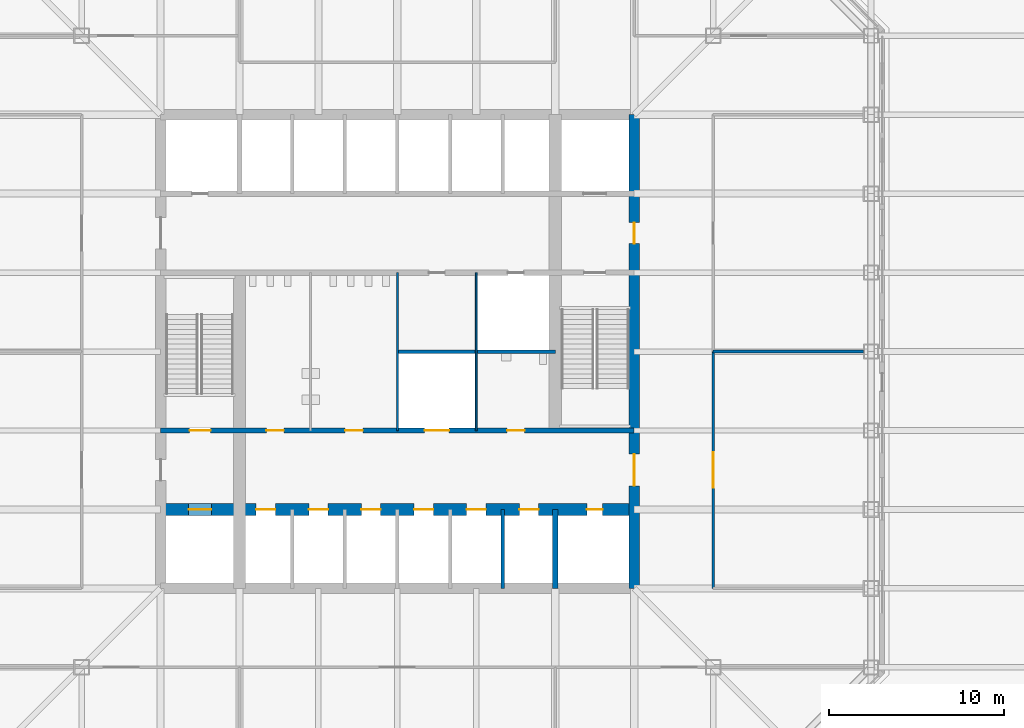
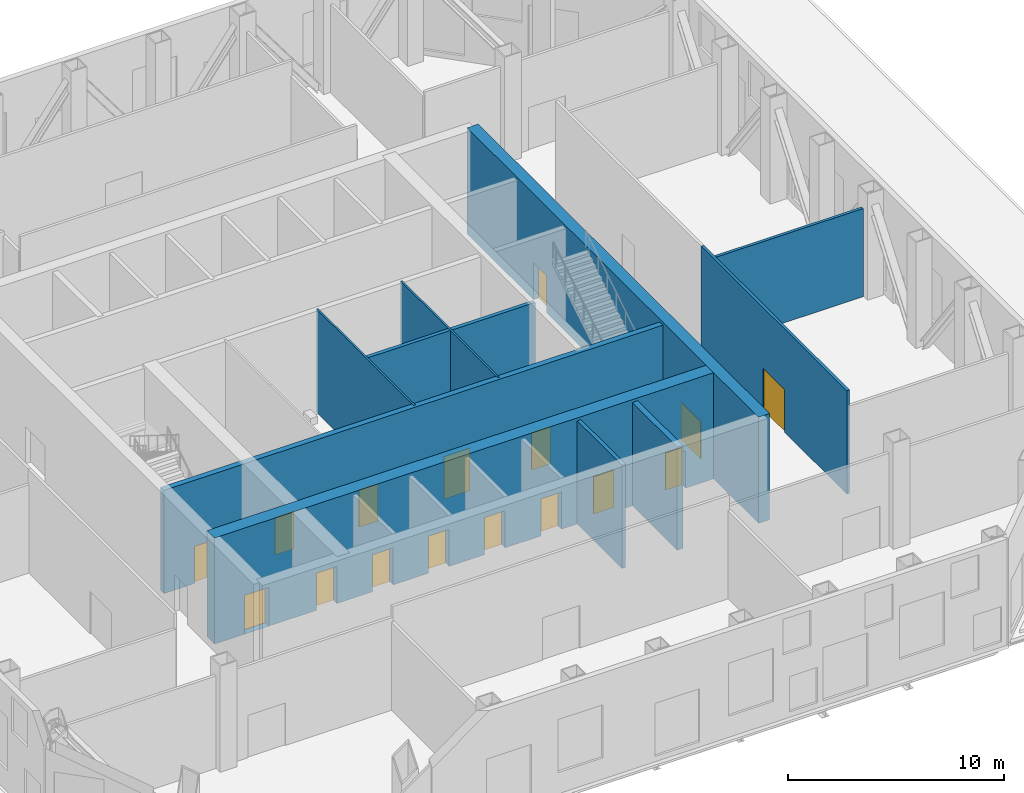
# One storey, part 5 of 10: 16 doors, 10 walls, 16 openings.
"""IFC4 building model written with IfcOpenShell, lengths in metres."""

from ifc_helpers import new_model, si_unit, direction, frame, frame_2d, origin, place, context, subcontext, project, spatial, rectangle, extrude, material, layer, layer_set, type_object, element, fill, save


model = new_model("IFC4")

# Units and contexts
model_context = context("Model", 3, precision=1e-05, world=origin(), true_north=direction((0.0, 1.0)))
body_context = subcontext(model_context, "Body", "Model", "MODEL_VIEW")
ifc_project = project(units=[si_unit("LENGTHUNIT", "METRE"), si_unit("AREAUNIT", "SQUARE_METRE"), si_unit("VOLUMEUNIT", "CUBIC_METRE"), si_unit("PLANEANGLEUNIT", "RADIAN"), si_unit("MASSUNIT", "GRAM", prefix="KILO")], contexts=[model_context])

# Site, building, storey
site_placement = place(None, origin())
site = spatial("IfcSite", under=ifc_project, at=site_placement, CompositionType="ELEMENT")
building_placement = place(site_placement, origin())
building = spatial("IfcBuilding", under=site, at=building_placement, Name="Corais Broadcast Tower", CompositionType="ELEMENT")
storey_placement = place(building_placement, frame((0.0, 0.0, 23.0)))
storey = spatial("IfcBuildingStorey", under=building, at=storey_placement, Name="L04", CompositionType="ELEMENT", Elevation=23.0)

# Wall
ifc_material_1 = material(Name="Concrete blockwork class A, grouted, two-hour", Category="masonry")
ifc_layer_1 = layer(ifc_material_1, 0.300048828125)
ifc_layer_set_1 = layer_set([ifc_layer_1], Name="Concrete blockwork class A, grouted, two-hour")
wall_type_1 = type_object("IfcWallType", Name="Core lobby wall 300", PredefinedType="SOLIDWALL", material=ifc_layer_set_1)
wall_1_placement = place(storey_placement, frame((36.0, 13.5, 0.0), z_axis=(0.0, 0.0, 1.0), x_axis=(0.0, 1.0, 0.0)))
element("IfcWall", 1, at=wall_1_placement, inside=storey, type_object=wall_type_1, Name="CL1 core shaft wall X36A L04", PredefinedType="SOLIDWALL", context=body_context, shape_type="SweptSolid", body=[
    extrude(rectangle(XDim=4.5, YDim=0.300048828125, at=frame_2d((2.25, 0.0))), origin(), (0.0, 0.0, 1.0), 5.840087890625),
])

# Wall, openings, doors
wall_2_placement = place(storey_placement, frame((13.5, 22.5, 0.0), z_axis=(0.0, 0.0, 1.0), x_axis=(1.0, 0.0, 0.0)))
wall_2 = element("IfcWall", 2, at=wall_2_placement, inside=storey, type_object=wall_type_1, Name="CL1 core lobby wall Y225 L04", PredefinedType="SOLIDWALL", context=body_context, shape_type="SweptSolid", body=[
    extrude(rectangle(XDim=27.0, YDim=0.300048828125, at=frame_2d((13.5, 0.0))), origin(), (0.0, 0.0, 1.0), 5.840087890625),
])
opening_1_placement = place(wall_2_placement, frame((1.64990234375, 0.0, 0.0)))
opening_1 = element("IfcOpeningElement", 3, at=opening_1_placement, cuts=wall_2, Name="Opening FD1", PredefinedType="OPENING", context=body_context, shape_type="SweptSolid", body=[
    extrude(rectangle(XDim=1.199951171875, YDim=2.10009765625, at=frame_2d((0.60009765625, 1.050048828125))), frame((0.0, 0.159912109375, 0.0), z_axis=(0.0, -1.0, 0.0), x_axis=(1.0, 0.0, 0.0)), (0.0, 0.0, 1.0), 0.320068359375),
])
opening_2_placement = place(wall_2_placement, frame((6.02490234375, 0.0, 0.0)))
opening_2 = element("IfcOpeningElement", 4, at=opening_2_placement, cuts=wall_2, Name="Opening WD1", PredefinedType="OPENING", context=body_context, shape_type="SweptSolid", body=[
    extrude(rectangle(XDim=1.0, YDim=2.10009765625, at=frame_2d((0.5, 1.050048828125))), frame((0.0, 0.159912109375, 0.0), z_axis=(0.0, -1.0, 0.0), x_axis=(1.0, 0.0, 0.0)), (0.0, 0.0, 1.0), 0.320068359375),
])
opening_3_placement = place(wall_2_placement, frame((10.52490234375, 0.0, 0.0)))
opening_3 = element("IfcOpeningElement", 5, at=opening_3_placement, cuts=wall_2, Name="Opening WD1", PredefinedType="OPENING", context=body_context, shape_type="SweptSolid", body=[
    extrude(rectangle(XDim=1.0, YDim=2.10009765625, at=frame_2d((0.5, 1.050048828125))), frame((0.0, 0.159912109375, 0.0), z_axis=(0.0, -1.0, 0.0), x_axis=(1.0, 0.0, 0.0)), (0.0, 0.0, 1.0), 0.320068359375),
])
opening_4_placement = place(wall_2_placement, frame((19.75, 0.0, 0.0)))
opening_4 = element("IfcOpeningElement", 6, at=opening_4_placement, cuts=wall_2, Name="Opening WD1", PredefinedType="OPENING", context=body_context, shape_type="SweptSolid", body=[
    extrude(rectangle(XDim=1.0, YDim=2.10009765625, at=frame_2d((0.5, 1.050048828125))), frame((0.0, 0.159912109375, 0.0), z_axis=(0.0, -1.0, 0.0), x_axis=(1.0, 0.0, 0.0)), (0.0, 0.0, 1.0), 0.320068359375),
])
opening_5_placement = place(wall_2_placement, frame((15.050048828125, 0.0, 0.0)))
opening_5 = element("IfcOpeningElement", 7, at=opening_5_placement, cuts=wall_2, Name="Opening LD3", PredefinedType="OPENING", context=body_context, shape_type="SweptSolid", body=[
    extrude(rectangle(XDim=1.39990234375, YDim=2.39990234375, at=frame_2d((0.699951171875, 1.199951171875))), frame((0.0, 0.159912109375, 0.0), z_axis=(0.0, -1.0, 0.0), x_axis=(1.0, 0.0, 0.0)), (0.0, 0.0, 1.0), 0.320068359375),
])
ifc_material_2 = material(Name="Steel fire door", Category="steel")
door_type_1 = type_object("IfcDoorType", Name="Fire door 1200x2100", OperationType="SINGLE_SWING_LEFT", PredefinedType="DOOR", material=ifc_material_2)
door_1_placement = place(opening_1_placement, origin())
door_1 = element("IfcDoor", 8, at=door_1_placement, inside=storey, type_object=door_type_1, Name="FD1 stair A door L04", OperationType="SINGLE_SWING_LEFT", OverallHeight=2.10009765625, OverallWidth=1.199951171875, PredefinedType="DOOR", context=body_context, shape_type="SweptSolid", body=[
    extrude(rectangle(XDim=1.199951171875, YDim=2.10009765625, at=frame_2d((0.60009765625, 1.050048828125))), frame((0.0, 0.02490234375, 0.0), z_axis=(0.0, -1.0, 0.0), x_axis=(1.0, 0.0, 0.0)), (0.0, 0.0, 1.0), 0.050048828125),
])
fill(opening_1, door_1)
ifc_material_3 = material(Name="Stainless steel lift door", Category="steel")
door_type_2 = type_object("IfcDoorType", Name="Service lift landing door 1400x2400", OperationType="SLIDING_TO_LEFT", PredefinedType="DOOR", material=ifc_material_3)
door_2_placement = place(opening_5_placement, origin())
door_2 = element("IfcDoor", 9, at=door_2_placement, inside=storey, type_object=door_type_2, Name="LD3 SL1 landing door L04", OperationType="SLIDING_TO_LEFT", OverallHeight=2.39990234375, OverallWidth=1.39990234375, PredefinedType="DOOR", context=body_context, shape_type="SweptSolid", body=[
    extrude(rectangle(XDim=1.39990234375, YDim=2.39990234375, at=frame_2d((0.699951171875, 1.199951171875))), frame((0.0, 0.02490234375, 0.0), z_axis=(0.0, -1.0, 0.0), x_axis=(1.0, 0.0, 0.0)), (0.0, 0.0, 1.0), 0.050048828125),
])
fill(opening_5, door_2)
ifc_material_4 = material(Name="Timber door", Category="wood")
door_type_3 = type_object("IfcDoorType", Name="Toilet door 1000x2100", OperationType="SINGLE_SWING_LEFT", PredefinedType="DOOR", material=ifc_material_4)
door_3_placement = place(opening_2_placement, origin())
door_3 = element("IfcDoor", 10, at=door_3_placement, inside=storey, type_object=door_type_3, Name="WD1 WC male door L04", OperationType="SINGLE_SWING_LEFT", OverallHeight=2.10009765625, OverallWidth=1.0, PredefinedType="DOOR", context=body_context, shape_type="SweptSolid", body=[
    extrude(rectangle(XDim=1.0, YDim=2.10009765625, at=frame_2d((0.5, 1.050048828125))), frame((0.0, 0.02490234375, 0.0), z_axis=(0.0, -1.0, 0.0), x_axis=(1.0, 0.0, 0.0)), (0.0, 0.0, 1.0), 0.050048828125),
])
fill(opening_2, door_3)
door_4_placement = place(opening_3_placement, origin())
door_4 = element("IfcDoor", 11, at=door_4_placement, inside=storey, type_object=door_type_3, Name="WD1 WC female door L04", OperationType="SINGLE_SWING_LEFT", OverallHeight=2.10009765625, OverallWidth=1.0, PredefinedType="DOOR", context=body_context, shape_type="SweptSolid", body=[
    extrude(rectangle(XDim=1.0, YDim=2.10009765625, at=frame_2d((0.5, 1.050048828125))), frame((0.0, 0.02490234375, 0.0), z_axis=(0.0, -1.0, 0.0), x_axis=(1.0, 0.0, 0.0)), (0.0, 0.0, 1.0), 0.050048828125),
])
fill(opening_3, door_4)
door_5_placement = place(opening_4_placement, origin())
door_5 = element("IfcDoor", 12, at=door_5_placement, inside=storey, type_object=door_type_3, Name="WD1 accessible WC door L04", OperationType="SINGLE_SWING_RIGHT", OverallHeight=2.10009765625, OverallWidth=1.0, PredefinedType="DOOR", context=body_context, shape_type="SweptSolid", body=[
    extrude(rectangle(XDim=1.0, YDim=2.10009765625, at=frame_2d((0.5, 1.050048828125))), frame((0.0, 0.02490234375, 0.0), z_axis=(0.0, -1.0, 0.0), x_axis=(1.0, 0.0, 0.0)), (0.0, 0.0, 1.0), 0.050048828125),
])
fill(opening_4, door_5)

ifc_material_5 = material(Name="Concrete C50/60", Category="concrete")
ifc_layer_2 = layer(ifc_material_5, 0.699951171875)
ifc_layer_set_2 = layer_set([ifc_layer_2], Name="Concrete C50/60")
wall_type_2 = type_object("IfcWallType", Name="Core spine wall 700", PredefinedType="SHEAR", material=ifc_layer_set_2)
wall_3_placement = place(storey_placement, frame((13.5, 18.0, 0.0), z_axis=(0.0, 0.0, 1.0), x_axis=(1.0, 0.0, 0.0)))
wall_3 = element("IfcWall", 13, at=wall_3_placement, inside=storey, type_object=wall_type_2, Name="CR700 core wall Y18 L04", PredefinedType="SHEAR", context=body_context, shape_type="SweptSolid", body=[
    extrude(rectangle(XDim=27.0, YDim=0.699951171875, at=frame_2d((13.5, 0.0))), origin(), (0.0, 0.0, 1.0), 6.0),
])
opening_6_placement = place(wall_3_placement, frame((24.300048828125, 0.0, 0.0)))
opening_6 = element("IfcOpeningElement", 14, at=opening_6_placement, cuts=wall_3, Name="Opening RD1", PredefinedType="OPENING", context=body_context, shape_type="SweptSolid", body=[
    extrude(rectangle(XDim=0.89990234375, YDim=2.10009765625, at=frame_2d((0.449951171875, 1.050048828125))), frame((0.0, 0.35986328125, 0.0), z_axis=(0.0, -1.0, 0.0), x_axis=(1.0, 0.0, 0.0)), (0.0, 0.0, 1.0), 0.719970703125),
])
opening_7_placement = place(wall_3_placement, frame((5.449951171875, 0.0, 0.0)))
opening_7 = element("IfcOpeningElement", 15, at=opening_7_placement, cuts=wall_3, Name="Opening LD1", PredefinedType="OPENING", context=body_context, shape_type="SweptSolid", body=[
    extrude(rectangle(XDim=1.10009765625, YDim=2.10009765625, at=frame_2d((0.550048828125, 1.050048828125))), frame((0.0, 0.35986328125, 0.0), z_axis=(0.0, -1.0, 0.0), x_axis=(1.0, 0.0, 0.0)), (0.0, 0.0, 1.0), 0.719970703125),
])
opening_8_placement = place(wall_3_placement, frame((8.449951171875, 0.0, 0.0)))
opening_8 = element("IfcOpeningElement", 16, at=opening_8_placement, cuts=wall_3, Name="Opening LD1", PredefinedType="OPENING", context=body_context, shape_type="SweptSolid", body=[
    extrude(rectangle(XDim=1.10009765625, YDim=2.10009765625, at=frame_2d((0.550048828125, 1.050048828125))), frame((0.0, 0.35986328125, 0.0), z_axis=(0.0, -1.0, 0.0), x_axis=(1.0, 0.0, 0.0)), (0.0, 0.0, 1.0), 0.719970703125),
])
opening_9_placement = place(wall_3_placement, frame((11.449951171875, 0.0, 0.0)))
opening_9 = element("IfcOpeningElement", 17, at=opening_9_placement, cuts=wall_3, Name="Opening LD1", PredefinedType="OPENING", context=body_context, shape_type="SweptSolid", body=[
    extrude(rectangle(XDim=1.10009765625, YDim=2.10009765625, at=frame_2d((0.550048828125, 1.050048828125))), frame((0.0, 0.35986328125, 0.0), z_axis=(0.0, -1.0, 0.0), x_axis=(1.0, 0.0, 0.0)), (0.0, 0.0, 1.0), 0.719970703125),
])
opening_10_placement = place(wall_3_placement, frame((14.449951171875, 0.0, 0.0)))
opening_10 = element("IfcOpeningElement", 18, at=opening_10_placement, cuts=wall_3, Name="Opening LD1", PredefinedType="OPENING", context=body_context, shape_type="SweptSolid", body=[
    extrude(rectangle(XDim=1.10009765625, YDim=2.10009765625, at=frame_2d((0.550048828125, 1.050048828125))), frame((0.0, 0.35986328125, 0.0), z_axis=(0.0, -1.0, 0.0), x_axis=(1.0, 0.0, 0.0)), (0.0, 0.0, 1.0), 0.719970703125),
])
opening_11_placement = place(wall_3_placement, frame((17.449951171875, 0.0, 0.0)))
opening_11 = element("IfcOpeningElement", 19, at=opening_11_placement, cuts=wall_3, Name="Opening LD1", PredefinedType="OPENING", context=body_context, shape_type="SweptSolid", body=[
    extrude(rectangle(XDim=1.10009765625, YDim=2.10009765625, at=frame_2d((0.550048828125, 1.050048828125))), frame((0.0, 0.35986328125, 0.0), z_axis=(0.0, -1.0, 0.0), x_axis=(1.0, 0.0, 0.0)), (0.0, 0.0, 1.0), 0.719970703125),
])
opening_12_placement = place(wall_3_placement, frame((20.449951171875, 0.0, 0.0)))
opening_12 = element("IfcOpeningElement", 20, at=opening_12_placement, cuts=wall_3, Name="Opening LD1", PredefinedType="OPENING", context=body_context, shape_type="SweptSolid", body=[
    extrude(rectangle(XDim=1.10009765625, YDim=2.10009765625, at=frame_2d((0.550048828125, 1.050048828125))), frame((0.0, 0.35986328125, 0.0), z_axis=(0.0, -1.0, 0.0), x_axis=(1.0, 0.0, 0.0)), (0.0, 0.0, 1.0), 0.719970703125),
])
opening_13_placement = place(wall_3_placement, frame((1.60009765625, 0.0, 0.0)))
opening_13 = element("IfcOpeningElement", 21, at=opening_13_placement, cuts=wall_3, Name="Opening LD2", PredefinedType="OPENING", context=body_context, shape_type="SweptSolid", body=[
    extrude(rectangle(XDim=1.300048828125, YDim=2.199951171875, at=frame_2d((0.64990234375, 1.10009765625))), frame((0.0, 0.35986328125, 0.0), z_axis=(0.0, -1.0, 0.0), x_axis=(1.0, 0.0, 0.0)), (0.0, 0.0, 1.0), 0.719970703125),
])
ifc_material_6 = material(Name="Stainless steel lift door", Category="steel")
door_type_4 = type_object("IfcDoorType", Name="Lift landing door 1100x2100", OperationType="SLIDING_TO_LEFT", PredefinedType="DOOR", material=ifc_material_6)
door_6_placement = place(opening_7_placement, origin())
door_6 = element("IfcDoor", 22, at=door_6_placement, inside=storey, type_object=door_type_4, Name="LD1 PL1 landing door L04", OperationType="SLIDING_TO_LEFT", OverallHeight=2.10009765625, OverallWidth=1.10009765625, PredefinedType="DOOR", context=body_context, shape_type="SweptSolid", body=[
    extrude(rectangle(XDim=1.10009765625, YDim=2.10009765625, at=frame_2d((0.550048828125, 1.050048828125))), frame((0.0, 0.02490234375, 0.0), z_axis=(0.0, -1.0, 0.0), x_axis=(1.0, 0.0, 0.0)), (0.0, 0.0, 1.0), 0.050048828125),
])
fill(opening_7, door_6)
door_7_placement = place(opening_8_placement, origin())
door_7 = element("IfcDoor", 23, at=door_7_placement, inside=storey, type_object=door_type_4, Name="LD1 PL2 landing door L04", OperationType="SLIDING_TO_LEFT", OverallHeight=2.10009765625, OverallWidth=1.10009765625, PredefinedType="DOOR", context=body_context, shape_type="SweptSolid", body=[
    extrude(rectangle(XDim=1.10009765625, YDim=2.10009765625, at=frame_2d((0.550048828125, 1.050048828125))), frame((0.0, 0.02490234375, 0.0), z_axis=(0.0, -1.0, 0.0), x_axis=(1.0, 0.0, 0.0)), (0.0, 0.0, 1.0), 0.050048828125),
])
fill(opening_8, door_7)
door_8_placement = place(opening_9_placement, origin())
door_8 = element("IfcDoor", 24, at=door_8_placement, inside=storey, type_object=door_type_4, Name="LD1 PL3 landing door L04", OperationType="SLIDING_TO_LEFT", OverallHeight=2.10009765625, OverallWidth=1.10009765625, PredefinedType="DOOR", context=body_context, shape_type="SweptSolid", body=[
    extrude(rectangle(XDim=1.10009765625, YDim=2.10009765625, at=frame_2d((0.550048828125, 1.050048828125))), frame((0.0, 0.02490234375, 0.0), z_axis=(0.0, -1.0, 0.0), x_axis=(1.0, 0.0, 0.0)), (0.0, 0.0, 1.0), 0.050048828125),
])
fill(opening_9, door_8)
door_9_placement = place(opening_10_placement, origin())
door_9 = element("IfcDoor", 25, at=door_9_placement, inside=storey, type_object=door_type_4, Name="LD1 PL4 landing door L04", OperationType="SLIDING_TO_LEFT", OverallHeight=2.10009765625, OverallWidth=1.10009765625, PredefinedType="DOOR", context=body_context, shape_type="SweptSolid", body=[
    extrude(rectangle(XDim=1.10009765625, YDim=2.10009765625, at=frame_2d((0.550048828125, 1.050048828125))), frame((0.0, 0.02490234375, 0.0), z_axis=(0.0, -1.0, 0.0), x_axis=(1.0, 0.0, 0.0)), (0.0, 0.0, 1.0), 0.050048828125),
])
fill(opening_10, door_9)
door_10_placement = place(opening_11_placement, origin())
door_10 = element("IfcDoor", 26, at=door_10_placement, inside=storey, type_object=door_type_4, Name="LD1 PL5 landing door L04", OperationType="SLIDING_TO_LEFT", OverallHeight=2.10009765625, OverallWidth=1.10009765625, PredefinedType="DOOR", context=body_context, shape_type="SweptSolid", body=[
    extrude(rectangle(XDim=1.10009765625, YDim=2.10009765625, at=frame_2d((0.550048828125, 1.050048828125))), frame((0.0, 0.02490234375, 0.0), z_axis=(0.0, -1.0, 0.0), x_axis=(1.0, 0.0, 0.0)), (0.0, 0.0, 1.0), 0.050048828125),
])
fill(opening_11, door_10)
door_11_placement = place(opening_12_placement, origin())
door_11 = element("IfcDoor", 27, at=door_11_placement, inside=storey, type_object=door_type_4, Name="LD1 PL6 landing door L04", OperationType="SLIDING_TO_LEFT", OverallHeight=2.10009765625, OverallWidth=1.10009765625, PredefinedType="DOOR", context=body_context, shape_type="SweptSolid", body=[
    extrude(rectangle(XDim=1.10009765625, YDim=2.10009765625, at=frame_2d((0.550048828125, 1.050048828125))), frame((0.0, 0.02490234375, 0.0), z_axis=(0.0, -1.0, 0.0), x_axis=(1.0, 0.0, 0.0)), (0.0, 0.0, 1.0), 0.050048828125),
])
fill(opening_12, door_11)
ifc_material_7 = material(Name="Stainless steel lift door", Category="steel")
door_type_5 = type_object("IfcDoorType", Name="Lift landing door 1300x2200", OperationType="SLIDING_TO_LEFT", PredefinedType="DOOR", material=ifc_material_7)
door_12_placement = place(opening_13_placement, origin())
door_12 = element("IfcDoor", 28, at=door_12_placement, inside=storey, type_object=door_type_5, Name="LD2 FL1 landing door L04", OperationType="SLIDING_TO_LEFT", OverallHeight=2.199951171875, OverallWidth=1.300048828125, PredefinedType="DOOR", context=body_context, shape_type="SweptSolid", body=[
    extrude(rectangle(XDim=1.300048828125, YDim=2.199951171875, at=frame_2d((0.64990234375, 1.10009765625))), frame((0.0, 0.02490234375, 0.0), z_axis=(0.0, -1.0, 0.0), x_axis=(1.0, 0.0, 0.0)), (0.0, 0.0, 1.0), 0.050048828125),
])
fill(opening_13, door_12)
ifc_material_8 = material(Name="Steel fire door", Category="steel")
door_type_6 = type_object("IfcDoorType", Name="Riser door 900x2100", OperationType="SINGLE_SWING_LEFT", PredefinedType="DOOR", material=ifc_material_8)
door_13_placement = place(opening_6_placement, origin())
door_13 = element("IfcDoor", 29, at=door_13_placement, inside=storey, type_object=door_type_6, Name="RD1 riser door L04", OperationType="SINGLE_SWING_RIGHT", OverallHeight=2.10009765625, OverallWidth=0.89990234375, PredefinedType="DOOR", context=body_context, shape_type="SweptSolid", body=[
    extrude(rectangle(XDim=0.89990234375, YDim=2.10009765625, at=frame_2d((0.449951171875, 1.050048828125))), frame((0.0, 0.02490234375, 0.0), z_axis=(0.0, -1.0, 0.0), x_axis=(1.0, 0.0, 0.0)), (0.0, 0.0, 1.0), 0.050048828125),
])
fill(opening_6, door_13)

ifc_material_9 = material(Name="Concrete C50/60", Category="concrete")
ifc_layer_3 = layer(ifc_material_9, 0.60009765625)
ifc_layer_set_3 = layer_set([ifc_layer_3], Name="Concrete C50/60")
wall_type_3 = type_object("IfcWallType", Name="Core wall 600", PredefinedType="SHEAR", material=ifc_layer_set_3)
wall_4_placement = place(storey_placement, frame((40.5, 13.5, 0.0), z_axis=(0.0, 0.0, 1.0), x_axis=(0.0, 1.0, 0.0)))
wall_4 = element("IfcWall", 30, at=wall_4_placement, inside=storey, type_object=wall_type_3, Name="CR600 core wall E L04", PredefinedType="SHEAR", context=body_context, shape_type="SweptSolid", body=[
    extrude(rectangle(XDim=27.0, YDim=0.60009765625, at=frame_2d((13.5, 0.0))), origin(), (0.0, 0.0, 1.0), 6.0),
])
opening_14_placement = place(wall_4_placement, frame((5.85009765625, 0.0, 0.0)))
opening_14 = element("IfcOpeningElement", 31, at=opening_14_placement, cuts=wall_4, Name="Opening FD2", PredefinedType="OPENING", context=body_context, shape_type="SweptSolid", body=[
    extrude(rectangle(XDim=1.800048828125, YDim=2.10009765625, at=frame_2d((0.89990234375, 1.050048828125))), frame((0.0, 0.31005859375, 0.0), z_axis=(0.0, -1.0, 0.0), x_axis=(1.0, 0.0, 0.0)), (0.0, 0.0, 1.0), 0.6201171875),
])
opening_15_placement = place(wall_4_placement, frame((19.64990234375, 0.0, 0.0)))
opening_15 = element("IfcOpeningElement", 32, at=opening_15_placement, cuts=wall_4, Name="Opening FD1", PredefinedType="OPENING", context=body_context, shape_type="SweptSolid", body=[
    extrude(rectangle(XDim=1.199951171875, YDim=2.10009765625, at=frame_2d((0.60009765625, 1.050048828125))), frame((0.0, 0.31005859375, 0.0), z_axis=(0.0, -1.0, 0.0), x_axis=(1.0, 0.0, 0.0)), (0.0, 0.0, 1.0), 0.6201171875),
])
door_14_placement = place(opening_15_placement, origin())
door_14 = element("IfcDoor", 33, at=door_14_placement, inside=storey, type_object=door_type_1, Name="FD1 fire lobby B door L04", OperationType="SINGLE_SWING_RIGHT", OverallHeight=2.10009765625, OverallWidth=1.199951171875, PredefinedType="DOOR", context=body_context, shape_type="SweptSolid", body=[
    extrude(rectangle(XDim=1.199951171875, YDim=2.10009765625, at=frame_2d((0.60009765625, 1.050048828125))), frame((0.0, 0.02490234375, 0.0), z_axis=(0.0, -1.0, 0.0), x_axis=(1.0, 0.0, 0.0)), (0.0, 0.0, 1.0), 0.050048828125),
])
fill(opening_15, door_14)
ifc_material_10 = material(Name="Steel fire door", Category="steel")
door_type_7 = type_object("IfcDoorType", Name="Fire door pair 1800x2100", OperationType="DOUBLE_DOOR_SINGLE_SWING", PredefinedType="DOOR", material=ifc_material_10)
door_15_placement = place(opening_14_placement, origin())
door_15 = element("IfcDoor", 34, at=door_15_placement, inside=storey, type_object=door_type_7, Name="FD2 lift lobby door L04", OperationType="SINGLE_SWING_LEFT", OverallHeight=2.10009765625, OverallWidth=1.800048828125, PredefinedType="DOOR", context=body_context, shape_type="SweptSolid", body=[
    extrude(rectangle(XDim=1.800048828125, YDim=2.10009765625, at=frame_2d((0.89990234375, 1.050048828125))), frame((0.0, 0.02490234375, 0.0), z_axis=(0.0, -1.0, 0.0), x_axis=(1.0, 0.0, 0.0)), (0.0, 0.0, 1.0), 0.050048828125),
])
fill(opening_14, door_15)

# Wall, opening, door
ifc_material_11 = material(Name="Two layers of fire-rated gypsum board each side on steel studs", Category="steel")
ifc_layer_4 = layer(ifc_material_11, 0.14990234375)
ifc_layer_set_4 = layer_set([ifc_layer_4], Name="Two layers of fire-rated gypsum board each side on steel studs")
wall_type_4 = type_object("IfcWallType", Name="Fire-rated partition 150 EI 60", PredefinedType="PARTITIONING", material=ifc_layer_set_4)
wall_5_placement = place(storey_placement, frame((45.0, 27.0, 0.0), z_axis=(0.0, 0.0, 1.0), x_axis=(0.0, -1.0, 0.0)))
wall_5 = element("IfcWall", 35, at=wall_5_placement, inside=storey, type_object=wall_type_4, Name="IW7 partition L04", PredefinedType="PARTITIONING", context=body_context, shape_type="SweptSolid", body=[
    extrude(rectangle(XDim=13.5, YDim=0.14990234375, at=frame_2d((6.75, 0.0))), origin(), (0.0, 0.0, 1.0), 5.840087890625),
])
opening_16_placement = place(wall_5_placement, frame((5.75, 0.0, 0.0)))
opening_16 = element("IfcOpeningElement", 36, at=opening_16_placement, cuts=wall_5, Name="Opening D4", PredefinedType="OPENING", context=body_context, shape_type="SweptSolid", body=[
    extrude(rectangle(XDim=2.0, YDim=2.39990234375, at=frame_2d((1.0, 1.199951171875))), frame((0.0, 0.0849609375, 0.0), z_axis=(0.0, -1.0, 0.0), x_axis=(1.0, 0.0, 0.0)), (0.0, 0.0, 1.0), 0.169921875),
])
ifc_material_12 = material(Name="Steel door", Category="steel")
door_type_8 = type_object("IfcDoorType", Name="Plant room door pair 2000x2400", OperationType="DOUBLE_DOOR_SINGLE_SWING", PredefinedType="DOOR", material=ifc_material_12)
door_16_placement = place(opening_16_placement, origin())
door_16 = element("IfcDoor", 37, at=door_16_placement, inside=storey, type_object=door_type_8, Name="D4 Ventilation fan plant room door", OperationType="SINGLE_SWING_LEFT", OverallHeight=2.39990234375, OverallWidth=2.0, PredefinedType="DOOR", context=body_context, shape_type="SweptSolid", body=[
    extrude(rectangle(XDim=2.0, YDim=2.39990234375, at=frame_2d((1.0, 1.199951171875))), frame((0.0, 0.02490234375, 0.0), z_axis=(0.0, -1.0, 0.0), x_axis=(1.0, 0.0, 0.0)), (0.0, 0.0, 1.0), 0.050048828125),
])
fill(opening_16, door_16)

# Walls
ifc_material_13 = material(Name="Two layers of fire-rated gypsum board each side on steel studs", Category="steel")
ifc_layer_5 = layer(ifc_material_13, 0.14990234375)
ifc_layer_set_5 = layer_set([ifc_layer_5], Name="Two layers of fire-rated gypsum board each side on steel studs")
wall_type_5 = type_object("IfcWallType", Name="Fire-rated partition 150 EI 90", PredefinedType="PARTITIONING", material=ifc_layer_set_5)
wall_6_placement = place(storey_placement, frame((45.0, 27.0, 0.0), z_axis=(0.0, 0.0, 1.0), x_axis=(1.0, 0.0, 0.0)))
element("IfcWall", 38, at=wall_6_placement, inside=storey, type_object=wall_type_5, Name="IW8 partition L04", PredefinedType="PARTITIONING", context=body_context, shape_type="SweptSolid", body=[
    extrude(rectangle(XDim=8.56494140625, YDim=0.14990234375, at=frame_2d((4.282470703125, 0.0))), origin(), (0.0, 0.0, 1.0), 4.989013671875),
])
ifc_material_14 = material(Name="Concrete blockwork class A, grouted, two-hour", Category="masonry")
ifc_layer_6 = layer(ifc_material_14, 0.199951171875)
ifc_layer_set_6 = layer_set([ifc_layer_6], Name="Concrete blockwork class A, grouted, two-hour")
wall_type_6 = type_object("IfcWallType", Name="Shaft wall 200", PredefinedType="PARTITIONING", material=ifc_layer_set_6)
wall_7_placement = place(storey_placement, frame((33.0, 13.5, 0.0), z_axis=(0.0, 0.0, 1.0), x_axis=(0.0, 1.0, 0.0)))
element("IfcWall", 39, at=wall_7_placement, inside=storey, type_object=wall_type_6, Name="IW1 shaft wall L04", PredefinedType="PARTITIONING", context=body_context, shape_type="SweptSolid", body=[
    extrude(rectangle(XDim=4.5, YDim=0.199951171875, at=frame_2d((2.25, 0.0))), origin(), (0.0, 0.0, 1.0), 5.840087890625),
])
wall_8_placement = place(storey_placement, frame((27.0, 27.0, 0.0), z_axis=(0.0, 0.0, 1.0), x_axis=(1.0, 0.0, 0.0)))
element("IfcWall", 40, at=wall_8_placement, inside=storey, type_object=wall_type_6, Name="IW1 shaft wall L04", PredefinedType="PARTITIONING", context=body_context, shape_type="SweptSolid", body=[
    extrude(rectangle(XDim=9.0, YDim=0.199951171875, at=frame_2d((4.5, 0.0))), origin(), (0.0, 0.0, 1.0), 5.840087890625),
])
ifc_material_15 = material(Name="Dense concrete blockwork class A, tiled both faces", Category="masonry")
ifc_layer_7 = layer(ifc_material_15, 0.10009765625)
ifc_layer_set_7 = layer_set([ifc_layer_7], Name="Dense concrete blockwork class A, tiled both faces")
wall_type_7 = type_object("IfcWallType", Name="Toilet wall 100", PredefinedType="PLUMBINGWALL", material=ifc_layer_set_7)
for number, where, z_axis, x_axis, name in (
    (41, (27.0, 22.5, 0.0), (0.0, 0.0, 1.0), (0.0, 1.0, 0.0), "IW2 toilet wall L04"),
    (42, (31.5, 22.5, 0.0), (0.0, 0.0, 1.0), (0.0, 1.0, 0.0), "IW2 toilet wall L04"),
):
    element("IfcWall", number, at=place(storey_placement, frame(where, z_axis=z_axis, x_axis=x_axis)), inside=storey, type_object=wall_type_7, Name=name, PredefinedType="PLUMBINGWALL", context=body_context, shape_type="SweptSolid", body=[
        extrude(rectangle(XDim=9.0, YDim=0.10009765625, at=frame_2d((4.5, 0.0))), origin(), (0.0, 0.0, 1.0), 5.840087890625),
    ])

save(model, "model.ifc")
